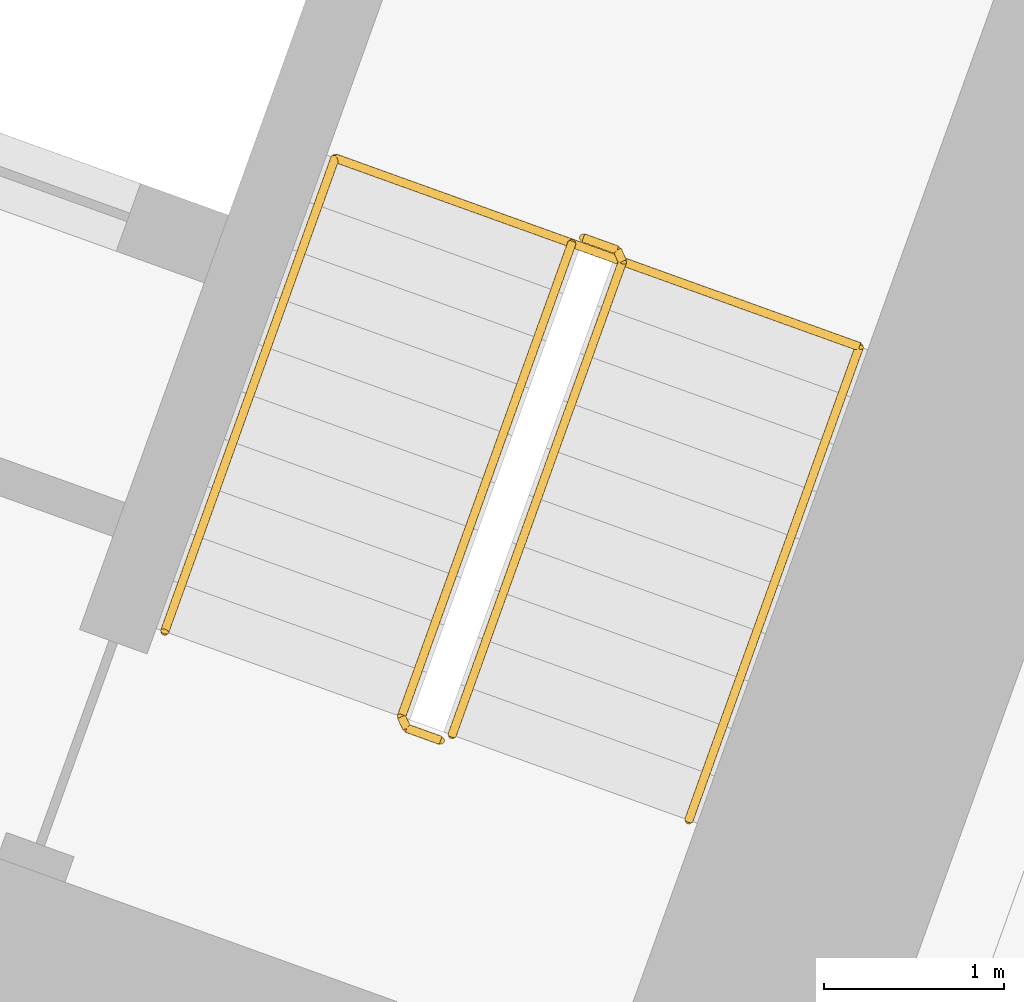
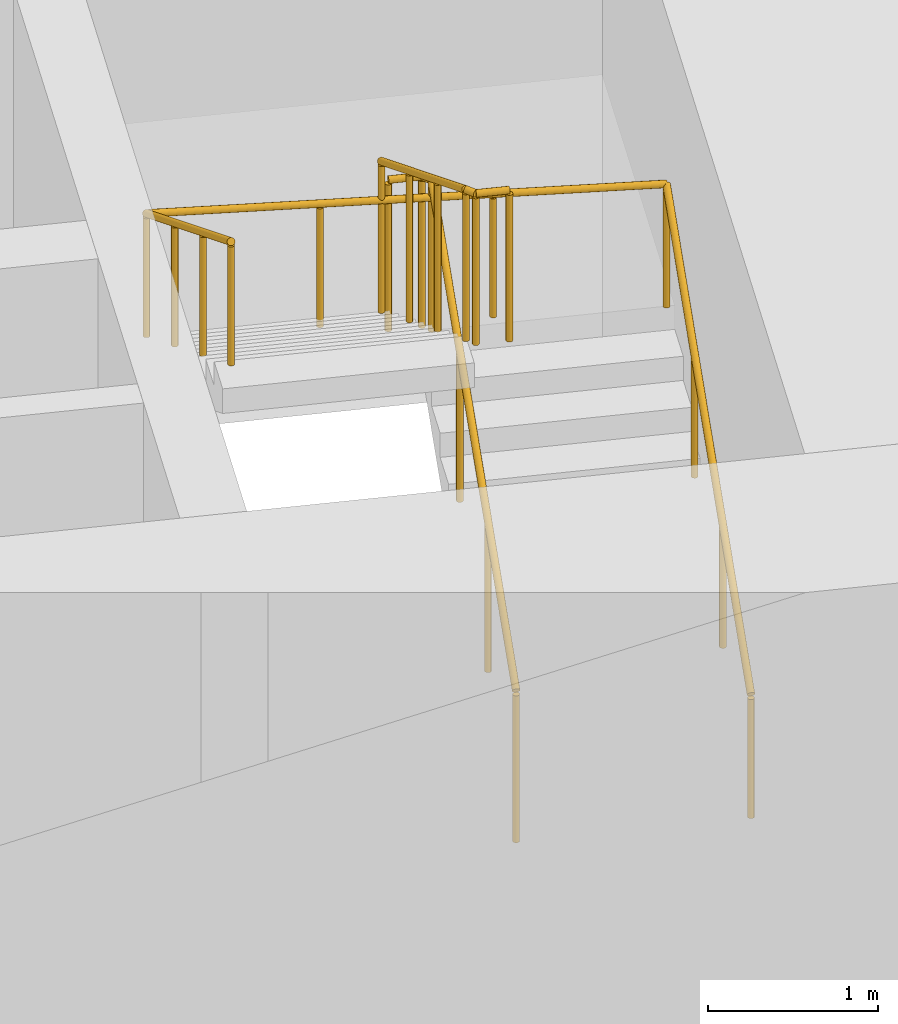
# One storey, part 21 of 21: 3 railings.
"""IFC4 building model written with IfcOpenShell, lengths in metres."""

from ifc_helpers import new_model, si_unit, direction, frame, origin, origin_2d, place, context, subcontext, project, spatial, circle, extrude, material, type_object, element, save


model = new_model("IFC4")

# Units and contexts
model_context = context("Model", 3, precision=1e-05, world=origin(), true_north=direction((0.0, 1.0)))
body_context = subcontext(model_context, "Body", "Model", "MODEL_VIEW")
ifc_project = project(units=[si_unit("LENGTHUNIT", "METRE"), si_unit("AREAUNIT", "SQUARE_METRE"), si_unit("VOLUMEUNIT", "CUBIC_METRE"), si_unit("PLANEANGLEUNIT", "RADIAN"), si_unit("MASSUNIT", "GRAM", prefix="KILO")], contexts=[model_context])

# Site, building, storey
site_placement = place(None, origin())
site = spatial("IfcSite", under=ifc_project, at=site_placement, CompositionType="ELEMENT")
building_placement = place(site_placement, origin())
building = spatial("IfcBuilding", under=site, at=building_placement, Name="Stone Belt Terrace Tower", CompositionType="ELEMENT")
storey_placement = place(building_placement, frame((0.0, 0.0, 189.60009765625)))
storey = spatial("IfcBuildingStorey", under=building, at=storey_placement, Name="L46", CompositionType="ELEMENT", Elevation=189.60009765625)

# Railings
ifc_material = material(Name="Structural steel C345", Category="steel")
railing_type_1 = type_object("IfcRailingType", Name="Stair guard 1100", PredefinedType="GUARDRAIL", material=ifc_material)
railing_1_placement = place(storey_placement, frame((24.494140625, 45.174560546875, 0.172607421875)))
element("IfcRailing", 1, at=railing_1_placement, inside=storey, type_object=railing_type_1, Name="L46 ST1B stair guard 1", PredefinedType="GUARDRAIL", context=body_context, shape_type="SweptSolid", body=[
    extrude(circle(Radius=0.02392578125, at=origin_2d()), frame((0.0, 0.0, 1.076171875), z_axis=(0.288228637646, 0.800791768495, 0.525030280985), x_axis=(-0.940908529223, 0.338660803216, 0.0)), (0.0, 0.0, 1.0), 3.289794921875),
    extrude(circle(Radius=0.02392578125, at=origin_2d()), frame((0.9482421875, 2.634521484375, 2.80322265625), z_axis=(-0.424964916, 0.905209821074, 0.0), x_axis=(-0.905209821074, -0.424964916, 0.0)), (0.0, 0.0, 1.0), 0.070556640625),
    extrude(circle(Radius=0.02392578125, at=origin_2d()), frame((0.918212890625, 2.698486328125, 2.80322265625), z_axis=(-0.941105063269, 0.338114270461, 0.0), x_axis=(-0.338114270461, -0.941105063269, 0.0)), (0.0, 0.0, 1.0), 0.199951171875),
    extrude(circle(Radius=0.02099609375, at=origin_2d()), origin(), (0.0, 0.0, 1.0), 1.052001953125),
    extrude(circle(Radius=0.02099609375, at=origin_2d()), frame((0.316162109375, 0.878173828125, 0.57568359375)), (0.0, 0.0, 1.0), 1.052001953125),
    extrude(circle(Radius=0.02099609375, at=origin_2d()), frame((0.632080078125, 1.75634765625, 1.151611328125)), (0.0, 0.0, 1.0), 1.052001953125),
    extrude(circle(Radius=0.02099609375, at=origin_2d()), frame((0.9482421875, 2.634521484375, 1.727294921875)), (0.0, 0.0, 1.0), 1.052001953125),
    extrude(circle(Radius=0.02099609375, at=origin_2d()), frame((0.918212890625, 2.698486328125, 1.727294921875)), (0.0, 0.0, 1.0), 1.052001953125),
    extrude(circle(Radius=0.02099609375, at=origin_2d()), frame((0.72998046875, 2.76611328125, 1.727294921875)), (0.0, 0.0, 1.0), 1.052001953125),
])
railing_2_placement = place(storey_placement, frame((25.16015625, 47.91064453125, 2.072509765625)))
element("IfcRailing", 2, at=railing_2_placement, inside=storey, type_object=railing_type_1, Name="L46 ST1B stair guard 2", PredefinedType="GUARDRAIL", context=body_context, shape_type="SweptSolid", body=[
    extrude(circle(Radius=0.02392578125, at=origin_2d()), frame((0.0, 0.0, 1.076171875), z_axis=(-0.288228637646, -0.800791768495, 0.525030280985), x_axis=(0.940908529223, -0.338660803216, 0.0)), (0.0, 0.0, 1.0), 3.289794921875),
    extrude(circle(Radius=0.02392578125, at=origin_2d()), frame((-0.9482421875, -2.634521484375, 2.80322265625), z_axis=(0.427789722475, -0.903878284585, 0.0), x_axis=(0.903878284585, 0.427789722475, 0.0)), (0.0, 0.0, 1.0), 0.07080078125),
    extrude(circle(Radius=0.02392578125, at=origin_2d()), frame((-0.91796875, -2.698486328125, 2.80322265625), z_axis=(0.940575576748, -0.339584429008, 0.0), x_axis=(0.339584429008, 0.940575576748, 0.0)), (0.0, 0.0, 1.0), 0.199951171875),
    extrude(circle(Radius=0.02099609375, at=origin_2d()), origin(), (0.0, 0.0, 1.0), 1.052001953125),
    extrude(circle(Radius=0.02099609375, at=origin_2d()), frame((-0.316162109375, -0.878173828125, 0.57568359375)), (0.0, 0.0, 1.0), 1.052001953125),
    extrude(circle(Radius=0.02099609375, at=origin_2d()), frame((-0.632080078125, -1.75634765625, 1.151611328125)), (0.0, 0.0, 1.0), 1.052001953125),
    extrude(circle(Radius=0.02099609375, at=origin_2d()), frame((-0.9482421875, -2.634521484375, 1.727294921875)), (0.0, 0.0, 1.0), 1.052001953125),
    extrude(circle(Radius=0.02099609375, at=origin_2d()), frame((-0.91796875, -2.698486328125, 1.727294921875)), (0.0, 0.0, 1.0), 1.052001953125),
    extrude(circle(Radius=0.02099609375, at=origin_2d()), frame((-0.72998046875, -2.766357421875, 1.727294921875)), (0.0, 0.0, 1.0), 1.052001953125),
])
railing_type_2 = type_object("IfcRailingType", Name="Stair handrail 900", PredefinedType="HANDRAIL", material=ifc_material)
railing_3_placement = place(storey_placement, frame((25.8115234375, 44.700439453125, 0.172607421875)))
element("IfcRailing", 3, at=railing_3_placement, inside=storey, type_object=railing_type_2, Name="L46 ST1B stair handrail 1", PredefinedType="HANDRAIL", context=body_context, shape_type="SweptSolid", body=[
    extrude(circle(Radius=0.02392578125, at=origin_2d()), frame((0.0, 0.0, 0.8759765625), z_axis=(0.288228637646, 0.800791768495, 0.525030280985), x_axis=(-0.940908529223, 0.338660803216, 0.0)), (0.0, 0.0, 1.0), 3.289794921875),
    extrude(circle(Radius=0.02392578125, at=origin_2d()), frame((0.9482421875, 2.634521484375, 2.60302734375), z_axis=(-0.939464517435, 0.338106580597, 0.055591012205), x_axis=(-0.338630230244, -0.940919532779, 0.0)), (0.0, 0.0, 1.0), 3.10498046875),
    extrude(circle(Radius=0.02392578125, at=origin_2d()), frame((-1.96875, 3.684326171875, 2.77587890625), z_axis=(-0.288160591223, -0.800808895155, 0.52504150989), x_axis=(0.940936311087, -0.338583606334, 0.0)), (0.0, 0.0, 1.0), 3.289794921875),
    extrude(circle(Radius=0.02099609375, at=origin_2d()), origin(), (0.0, 0.0, 1.0), 0.851806640625),
    extrude(circle(Radius=0.02099609375, at=origin_2d()), frame((0.316162109375, 0.878173828125, 0.57568359375)), (0.0, 0.0, 1.0), 0.851806640625),
    extrude(circle(Radius=0.02099609375, at=origin_2d()), frame((0.632080078125, 1.75634765625, 1.151611328125)), (0.0, 0.0, 1.0), 0.851806640625),
    extrude(circle(Radius=0.02099609375, at=origin_2d()), frame((0.9482421875, 2.634521484375, 1.727294921875)), (0.0, 0.0, 1.0), 0.851806640625),
    extrude(circle(Radius=0.02099609375, at=origin_2d()), frame((-0.024169921875, 2.984375, 1.784912109375)), (0.0, 0.0, 1.0), 0.851806640625),
    extrude(circle(Radius=0.02099609375, at=origin_2d()), frame((-0.996337890625, 3.33447265625, 1.84228515625)), (0.0, 0.0, 1.0), 0.851806640625),
    extrude(circle(Radius=0.02099609375, at=origin_2d()), frame((-1.96875, 3.684326171875, 1.89990234375)), (0.0, 0.0, 1.0), 0.851806640625),
    extrude(circle(Radius=0.02099609375, at=origin_2d()), frame((-2.28466796875, 2.80615234375, 2.4755859375)), (0.0, 0.0, 1.0), 0.851806640625),
    extrude(circle(Radius=0.02099609375, at=origin_2d()), frame((-2.600830078125, 1.927978515625, 3.051513671875)), (0.0, 0.0, 1.0), 0.851806640625),
    extrude(circle(Radius=0.02099609375, at=origin_2d()), frame((-2.916748046875, 1.0498046875, 3.627197265625)), (0.0, 0.0, 1.0), 0.851806640625),
])

save(model, "model.ifc")
